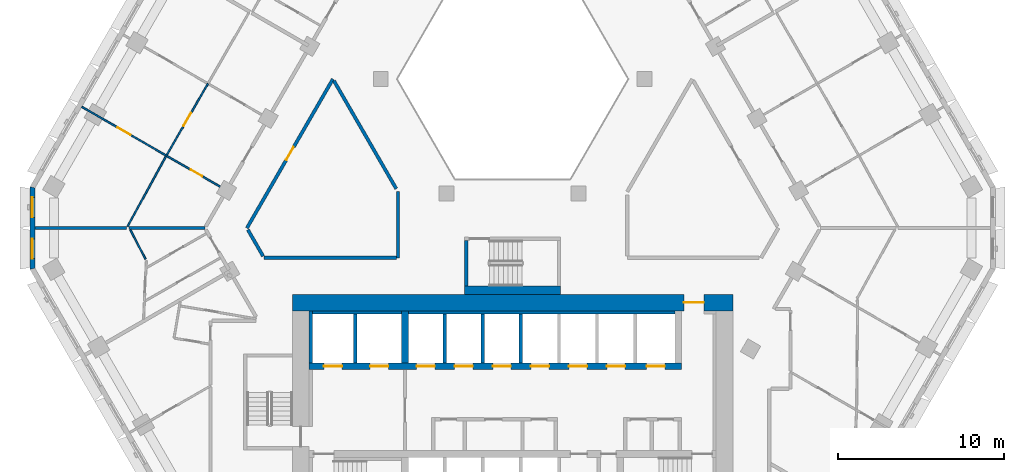
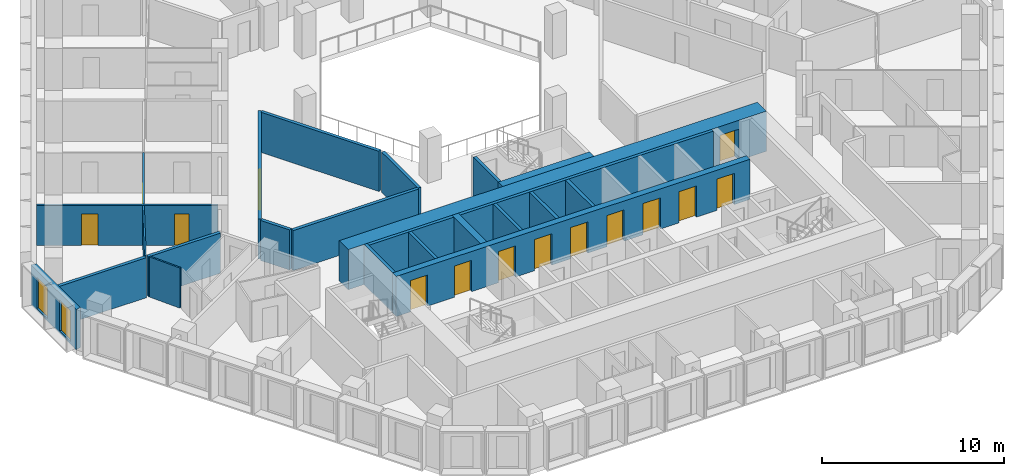
# One storey, part 5 of 18: 24 walls, 14 doors, 2 windows, 16 openings.
"""IFC4 building model written with IfcOpenShell, lengths in metres."""

from ifc_helpers import new_model, si_unit, direction, frame, frame_2d, origin, place, context, subcontext, project, spatial, polyline, rectangle, outline, extrude, material, layer, layer_set, type_object, element, fill, save


model = new_model("IFC4")

# Units and contexts
model_context = context("Model", 3, precision=1e-05, world=origin(), true_north=direction((0.0, 1.0)))
body_context = subcontext(model_context, "Body", "Model", "MODEL_VIEW")
ifc_project = project(units=[si_unit("LENGTHUNIT", "METRE"), si_unit("AREAUNIT", "SQUARE_METRE"), si_unit("VOLUMEUNIT", "CUBIC_METRE"), si_unit("PLANEANGLEUNIT", "RADIAN"), si_unit("MASSUNIT", "GRAM", prefix="KILO")], contexts=[model_context])

# Site, building, storey
site_placement = place(None, origin())
site = spatial("IfcSite", under=ifc_project, at=site_placement, CompositionType="ELEMENT")
building_placement = place(site_placement, origin())
building = spatial("IfcBuilding", under=site, at=building_placement, Name="Beryl Residences", CompositionType="ELEMENT")
storey_placement = place(building_placement, frame((0.0, 0.0, 93.0)))
storey = spatial("IfcBuildingStorey", under=building, at=storey_placement, Name="L28", CompositionType="ELEMENT", Elevation=93.0)

# Wall, openings, windows
ifc_material_1 = material(Name="Composite metal panel with mineral wool insulation")
ifc_layer_1 = layer(ifc_material_1, 0.300048828125)
ifc_layer_set_1 = layer_set([ifc_layer_1], Name="ES1 pale metal composite panel wall 300 mm")
wall_type_1 = type_object("IfcWallType", Name="ES1 pale metal composite panel wall 300 mm", PredefinedType="SOLIDWALL", material=ifc_layer_set_1)
wall_1_placement = place(storey_placement, frame((-29.007080078125, 1.5, 0.0), z_axis=(0.0, 0.0, 1.0), x_axis=(0.0, -1.0, 0.0)))
wall_1 = element("IfcWall", 1, at=wall_1_placement, inside=storey, type_object=wall_type_1, Name="ES1 external wall L28 NW-SW", PredefinedType="SOLIDWALL", context=body_context, shape_type="SweptSolid", body=[
    extrude(outline(polyline([(0.0, -0.14990234375), (5.0, -0.14990234375), (4.919677734375, 0.14990234375), (0.080322265625, 0.14990234375), (0.0, -0.14990234375)])), origin(), (0.0, 0.0, 1.0), 2.699951171875),
])
opening_1_placement = place(wall_1_placement, frame((0.64990234375, 0.0, 0.14990234375)))
opening_1 = element("IfcOpeningElement", 2, at=opening_1_placement, cuts=wall_1, Name="Opening W2", PredefinedType="OPENING", context=body_context, shape_type="SweptSolid", body=[
    extrude(rectangle(XDim=1.199951171875, YDim=2.10009765625, at=frame_2d((0.60009765625, 1.050048828125))), frame((0.0, 0.159912109375, 0.0), z_axis=(0.0, -1.0, 0.0), x_axis=(1.0, 0.0, 0.0)), (0.0, 0.0, 1.0), 0.320068359375),
])
opening_2_placement = place(wall_1_placement, frame((3.14990234375, 0.0, 0.14990234375)))
opening_2 = element("IfcOpeningElement", 3, at=opening_2_placement, cuts=wall_1, Name="Opening W2", PredefinedType="OPENING", context=body_context, shape_type="SweptSolid", body=[
    extrude(rectangle(XDim=1.199951171875, YDim=2.10009765625, at=frame_2d((0.60009765625, 1.050048828125))), frame((0.0, 0.159912109375, 0.0), z_axis=(0.0, -1.0, 0.0), x_axis=(1.0, 0.0, 0.0)), (0.0, 0.0, 1.0), 0.320068359375),
])
ifc_material_2 = material(Name="Aluminium and clear glass", Category="aluminium")
window_type = type_object("IfcWindowType", Name="W2 chamfer window 1200 x 2100 mm", PartitioningType="SINGLE_PANEL", PredefinedType="WINDOW", material=ifc_material_2)
window_1_placement = place(opening_1_placement, origin())
window_1 = element("IfcWindow", 4, at=window_1_placement, inside=storey, type_object=window_type, Name="W2 window L28 NW-SW 1", OverallHeight=2.10009765625, OverallWidth=1.199951171875, PartitioningType="SINGLE_PANEL", PredefinedType="WINDOW", context=body_context, shape_type="SweptSolid", body=[
    extrude(rectangle(XDim=1.199951171875, YDim=2.10009765625, at=frame_2d((0.60009765625, 1.050048828125))), frame((0.0, 0.030029296875, 0.0), z_axis=(0.0, -1.0, 0.0), x_axis=(1.0, 0.0, 0.0)), (0.0, 0.0, 1.0), 0.06005859375),
])
fill(opening_1, window_1)
window_2_placement = place(opening_2_placement, origin())
window_2 = element("IfcWindow", 5, at=window_2_placement, inside=storey, type_object=window_type, Name="W2 window L28 NW-SW 2", OverallHeight=2.10009765625, OverallWidth=1.199951171875, PartitioningType="SINGLE_PANEL", PredefinedType="WINDOW", context=body_context, shape_type="SweptSolid", body=[
    extrude(rectangle(XDim=1.199951171875, YDim=2.10009765625, at=frame_2d((0.60009765625, 1.050048828125))), frame((0.0, 0.030029296875, 0.0), z_axis=(0.0, -1.0, 0.0), x_axis=(1.0, 0.0, 0.0)), (0.0, 0.0, 1.0), 0.06005859375),
])
fill(opening_2, window_2)

# Wall
ifc_material_3 = material(Name="Gypsum board partition on steel studs", Category="steel")
ifc_layer_2 = layer(ifc_material_3, 0.10009765625)
ifc_layer_set_2 = layer_set([ifc_layer_2], Name="PT1 partition 100 mm gypsum board on steel studs")
wall_type_2 = type_object("IfcWallType", Name="PT1 partition 100 mm gypsum board on steel studs", PredefinedType="PARTITIONING", material=ifc_layer_set_2)
wall_2_placement = place(storey_placement, frame((-23.093017578125, -1.10107421875, 0.0), z_axis=(0.0, 0.0, 1.0), x_axis=(0.459171814268, -0.888347479865, 0.0)))
element("IfcWall", 6, at=wall_2_placement, inside=storey, type_object=wall_type_2, Name="Wall PT1 L28 006", PredefinedType="PARTITIONING", context=body_context, shape_type="SweptSolid", body=[
    extrude(rectangle(XDim=2.01025390625, YDim=0.10009765625, at=frame_2d((1.005126953125, 0.0))), origin(), (0.0, 0.0, 1.0), 2.699951171875),
])

# Wall, openings, doors
wall_3_placement = place(storey_placement, frame((-26.02490234375, 6.324951171875, 0.0), z_axis=(0.0, 0.0, 1.0), x_axis=(0.866041268327, -0.499972520799, 0.0)))
wall_3 = element("IfcWall", 7, at=wall_3_placement, inside=storey, type_object=wall_type_2, Name="Wall PT1 L28 018", PredefinedType="PARTITIONING", context=body_context, shape_type="SweptSolid", body=[
    extrude(rectangle(XDim=10.00048828125, YDim=0.10009765625, at=frame_2d((5.000244140625, 0.0))), origin(), (0.0, 0.0, 1.0), 2.699951171875),
])
opening_3_placement = place(wall_3_placement, frame((7.60107421875, 0.0, 0.0)))
opening_3 = element("IfcOpeningElement", 8, at=opening_3_placement, cuts=wall_3, Name="Opening D0751", PredefinedType="OPENING", context=body_context, shape_type="SweptSolid", body=[
    extrude(rectangle(XDim=0.800048828125, YDim=2.10009765625, at=frame_2d((0.39990234375, 1.050048828125))), frame((0.0, 0.06005859375, 0.0), z_axis=(0.0, -1.0, 0.0), x_axis=(1.0, 0.0, 0.0)), (0.0, 0.0, 1.0), 0.1201171875),
])
opening_4_placement = place(wall_3_placement, frame((2.5, 0.0, 0.0)))
opening_4 = element("IfcOpeningElement", 9, at=opening_4_placement, cuts=wall_3, Name="Opening D0753", PredefinedType="OPENING", context=body_context, shape_type="SweptSolid", body=[
    extrude(rectangle(XDim=0.89990234375, YDim=2.10009765625, at=frame_2d((0.449951171875, 1.050048828125))), frame((0.0, 0.06005859375, 0.0), z_axis=(0.0, -1.0, 0.0), x_axis=(1.0, 0.0, 0.0)), (0.0, 0.0, 1.0), 0.1201171875),
])
ifc_material_4 = material(Name="Timber door leaf", Category="wood")
door_type_1 = type_object("IfcDoorType", Name="D2 room door 900 x 2100 mm", OperationType="SINGLE_SWING_LEFT", PredefinedType="DOOR", material=ifc_material_4)
door_1_placement = place(opening_4_placement, origin())
door_1 = element("IfcDoor", 10, at=door_1_placement, inside=storey, type_object=door_type_1, Name="Door D0753 L28 001", OperationType="SINGLE_SWING_LEFT", OverallHeight=2.10009765625, OverallWidth=0.89990234375, PredefinedType="DOOR", context=body_context, shape_type="SweptSolid", body=[
    extrude(rectangle(XDim=0.89990234375, YDim=2.10009765625, at=frame_2d((0.449951171875, 1.050048828125))), frame((0.0, 0.02490234375, 0.0), z_axis=(0.0, -1.0, 0.0), x_axis=(1.0, 0.0, 0.0)), (0.0, 0.0, 1.0), 0.050048828125),
])
fill(opening_4, door_1)
ifc_material_5 = material(Name="Timber door leaf", Category="wood")
door_type_2 = type_object("IfcDoorType", Name="D3 bathroom door 800 x 2100 mm", OperationType="SINGLE_SWING_LEFT", PredefinedType="DOOR", material=ifc_material_5)
door_2_placement = place(opening_3_placement, origin())
door_2 = element("IfcDoor", 11, at=door_2_placement, inside=storey, type_object=door_type_2, Name="Door D0751 L28 001", OperationType="SINGLE_SWING_LEFT", OverallHeight=2.10009765625, OverallWidth=0.800048828125, PredefinedType="DOOR", context=body_context, shape_type="SweptSolid", body=[
    extrude(rectangle(XDim=0.800048828125, YDim=2.10009765625, at=frame_2d((0.39990234375, 1.050048828125))), frame((0.0, 0.02490234375, 0.0), z_axis=(0.0, -1.0, 0.0), x_axis=(1.0, 0.0, 0.0)), (0.0, 0.0, 1.0), 0.050048828125),
])
fill(opening_3, door_2)

# Wall, opening, door
wall_4_placement = place(storey_placement, frame((-20.889892578125, 3.41796875, 0.0), z_axis=(0.0, 0.0, 1.0), x_axis=(0.500014231302, 0.866017187182, 0.0)))
wall_4 = element("IfcWall", 12, at=wall_4_placement, inside=storey, type_object=wall_type_2, Name="Wall PT1 L28 032", PredefinedType="PARTITIONING", context=body_context, shape_type="SweptSolid", body=[
    extrude(rectangle(XDim=4.973388671875, YDim=0.10009765625, at=frame_2d((2.48681640625, 0.0))), origin(), (0.0, 0.0, 1.0), 2.699951171875),
])
opening_5_placement = place(wall_4_placement, frame((2.010986328125, 0.0, 0.0)))
opening_5 = element("IfcOpeningElement", 13, at=opening_5_placement, cuts=wall_4, Name="Opening D0750", PredefinedType="OPENING", context=body_context, shape_type="SweptSolid", body=[
    extrude(rectangle(XDim=0.89990234375, YDim=2.10009765625, at=frame_2d((0.449951171875, 1.050048828125))), frame((0.0, 0.06005859375, 0.0), z_axis=(0.0, -1.0, 0.0), x_axis=(1.0, 0.0, 0.0)), (0.0, 0.0, 1.0), 0.1201171875),
])
door_3_placement = place(opening_5_placement, origin())
door_3 = element("IfcDoor", 14, at=door_3_placement, inside=storey, type_object=door_type_1, Name="Door D0750 L28 001", OperationType="SINGLE_SWING_RIGHT", OverallHeight=2.10009765625, OverallWidth=0.89990234375, PredefinedType="DOOR", context=body_context, shape_type="SweptSolid", body=[
    extrude(rectangle(XDim=0.89990234375, YDim=2.10009765625, at=frame_2d((0.449951171875, 1.050048828125))), frame((0.0, 0.02490234375, 0.0), z_axis=(0.0, -1.0, 0.0), x_axis=(1.0, 0.0, 0.0)), (0.0, 0.0, 1.0), 0.050048828125),
])
fill(opening_5, door_3)

# Walls
wall_5_placement = place(storey_placement, frame((-23.260986328125, -0.90087890625, 0.0), z_axis=(0.0, 0.0, 1.0), x_axis=(0.481037050261, 0.876700265927, 0.0)))
element("IfcWall", 15, at=wall_5_placement, inside=storey, type_object=wall_type_2, Name="Wall PT1 L28 034", PredefinedType="PARTITIONING", context=body_context, shape_type="SweptSolid", body=[
    extrude(rectangle(XDim=4.8271484375, YDim=0.10009765625, at=frame_2d((2.41357421875, 0.0))), origin(), (0.0, 0.0, 1.0), 2.699951171875),
])
ifc_material_6 = material(Name="Acoustic double stud gypsum board wall")
ifc_layer_3 = layer(ifc_material_6, 0.199951171875)
ifc_layer_set_3 = layer_set([ifc_layer_3], Name="PT3 party wall 200 mm acoustic double stud")
wall_type_3 = type_object("IfcWallType", Name="PT3 party wall 200 mm acoustic double stud", PredefinedType="PARTITIONING", material=ifc_layer_set_3)
wall_6_placement = place(storey_placement, frame((-28.85693359375, -1.0009765625, 0.0), z_axis=(0.0, 0.0, 1.0), x_axis=(1.0, 0.0, 0.0)))
element("IfcWall", 16, at=wall_6_placement, inside=storey, type_object=wall_type_3, Name="Wall PT3 L28 008", PredefinedType="PARTITIONING", context=body_context, shape_type="SweptSolid", body=[
    extrude(rectangle(XDim=5.541015625, YDim=0.199951171875, at=frame_2d((2.7705078125, 0.0))), origin(), (0.0, 0.0, 1.0), 2.699951171875),
])
wall_7_placement = place(storey_placement, frame((-23.1640625, -1.0009765625, 0.0), z_axis=(0.0, 0.0, 1.0), x_axis=(1.0, 0.0, 0.0)))
element("IfcWall", 17, at=wall_7_placement, inside=storey, type_object=wall_type_3, Name="Wall PT3 L28 009", PredefinedType="PARTITIONING", context=body_context, shape_type="SweptSolid", body=[
    extrude(rectangle(XDim=4.572998046875, YDim=0.199951171875, at=frame_2d((2.28662109375, 0.0))), origin(), (0.0, 0.0, 1.0), 2.699951171875),
])
ifc_material_7 = material(Name="Double stud gypsum board wall")
ifc_layer_4 = layer(ifc_material_7, 0.199951171875)
ifc_layer_set_4 = layer_set([ifc_layer_4], Name="PT4 corridor wall 200 mm double stud")
wall_type_4 = type_object("IfcWallType", Name="PT4 corridor wall 200 mm double stud", PredefinedType="PARTITIONING", material=ifc_layer_set_4)
wall_8_placement = place(storey_placement, frame((-10.7958984375, 7.89892578125, 0.0), z_axis=(0.0, 0.0, 1.0), x_axis=(0.500010383074, -0.866019409031, 0.0)))
element("IfcWall", 18, at=wall_8_placement, inside=storey, type_object=wall_type_4, Name="Wall PT4 L28 001", PredefinedType="PARTITIONING", context=body_context, shape_type="SweptSolid", body=[
    extrude(rectangle(XDim=7.535400390625, YDim=0.199951171875, at=frame_2d((3.767578125, 0.0))), origin(), (0.0, 0.0, 1.0), 2.699951171875),
])
wall_9_placement = place(storey_placement, frame((-15.992919921875, -1.10107421875, 0.0), z_axis=(0.0, 0.0, 1.0), x_axis=(0.499894174133, -0.866086493757, 0.0)))
element("IfcWall", 19, at=wall_9_placement, inside=storey, type_object=wall_type_4, Name="Wall PT4 L28 002", PredefinedType="PARTITIONING", context=body_context, shape_type="SweptSolid", body=[
    extrude(rectangle(XDim=1.84619140625, YDim=0.199951171875, at=frame_2d((0.923095703125, 0.0))), origin(), (0.0, 0.0, 1.0), 2.699951171875),
])
wall_10_placement = place(storey_placement, frame((-15.010986328125, -2.800048828125, 0.0), z_axis=(0.0, 0.0, 1.0), x_axis=(1.0, 0.0, 0.0)))
element("IfcWall", 20, at=wall_10_placement, inside=storey, type_object=wall_type_4, Name="Wall PT4 L28 017", PredefinedType="PARTITIONING", context=body_context, shape_type="SweptSolid", body=[
    extrude(rectangle(XDim=7.98193359375, YDim=0.199951171875, at=frame_2d((3.990966796875, 0.0))), origin(), (0.0, 0.0, 1.0), 2.699951171875),
])

# Wall, opening, door
wall_11_placement = place(storey_placement, frame((-16.050048828125, -1.0, 0.0), z_axis=(0.0, 0.0, 1.0), x_axis=(0.499962449088, 0.866047082728, 0.0)))
wall_11 = element("IfcWall", 21, at=wall_11_placement, inside=storey, type_object=wall_type_4, Name="Wall PT4 L28 026", PredefinedType="PARTITIONING", context=body_context, shape_type="SweptSolid", body=[
    extrude(rectangle(XDim=10.390869140625, YDim=0.199951171875, at=frame_2d((5.1953125, 0.0))), origin(), (0.0, 0.0, 1.0), 2.699951171875),
])
opening_6_placement = place(wall_11_placement, frame((4.7451171875, 0.0, 0.0)))
opening_6 = element("IfcOpeningElement", 22, at=opening_6_placement, cuts=wall_11, Name="Opening D0759", PredefinedType="OPENING", context=body_context, shape_type="SweptSolid", body=[
    extrude(rectangle(XDim=0.89990234375, YDim=2.10009765625, at=frame_2d((0.449951171875, 1.050048828125))), frame((0.0, 0.10986328125, 0.0), z_axis=(0.0, -1.0, 0.0), x_axis=(1.0, 0.0, 0.0)), (0.0, 0.0, 1.0), 0.219970703125),
])
door_4_placement = place(opening_6_placement, origin())
door_4 = element("IfcDoor", 23, at=door_4_placement, inside=storey, type_object=door_type_1, Name="Door D0759 L28 001", OperationType="SINGLE_SWING_LEFT", OverallHeight=2.10009765625, OverallWidth=0.89990234375, PredefinedType="DOOR", context=body_context, shape_type="SweptSolid", body=[
    extrude(rectangle(XDim=0.89990234375, YDim=2.10009765625, at=frame_2d((0.449951171875, 1.050048828125))), frame((0.0, 0.02490234375, 0.0), z_axis=(0.0, -1.0, 0.0), x_axis=(1.0, 0.0, 0.0)), (0.0, 0.0, 1.0), 0.050048828125),
])
fill(opening_6, door_4)

# Walls
wall_12_placement = place(storey_placement, frame((-6.927978515625, -2.799072265625, 0.0), z_axis=(0.0, 0.0, 1.0), x_axis=(0.0, 1.0, 0.0)))
element("IfcWall", 24, at=wall_12_placement, inside=storey, type_object=wall_type_4, Name="Wall PT4 L28 032", PredefinedType="PARTITIONING", context=body_context, shape_type="SweptSolid", body=[
    extrude(rectangle(XDim=3.9990234375, YDim=0.199951171875, at=frame_2d((1.99951171875, 0.0))), origin(), (0.0, 0.0, 1.0), 2.699951171875),
])
ifc_material_8 = material(Name="Concrete C40/50", Category="concrete")
ifc_layer_5 = layer(ifc_material_8, 0.199951171875)
ifc_layer_set_5 = layer_set([ifc_layer_5], Name="PT5 stair enclosure wall 200 mm reinforced concrete C40/50")
wall_type_5 = type_object("IfcWallType", Name="PT5 stair enclosure wall 200 mm reinforced concrete C40/50", PredefinedType="SOLIDWALL", material=ifc_layer_set_5)
wall_13_placement = place(storey_placement, frame((-2.800048828125, -4.5, 0.0), z_axis=(0.0, 0.0, 1.0), x_axis=(0.0, 1.0, 0.0)))
element("IfcWall", 25, at=wall_13_placement, inside=storey, type_object=wall_type_5, Name="Wall PT5 L28 002", PredefinedType="SOLIDWALL", context=body_context, shape_type="SweptSolid", body=[
    extrude(rectangle(XDim=2.75, YDim=0.199951171875, at=frame_2d((1.375, 0.0))), origin(), (0.0, 0.0, 1.0), 2.699951171875),
])
ifc_material_9 = material(Name="Concrete C40/50", Category="concrete")
ifc_layer_6 = layer(ifc_material_9, 0.5)
ifc_layer_set_6 = layer_set([ifc_layer_6], Name="PT5-500 stair enclosure wall 500 mm")
wall_type_6 = type_object("IfcWallType", Name="PT5-500 stair enclosure wall 500 mm", PredefinedType="SOLIDWALL", material=ifc_layer_set_6)
wall_14_placement = place(storey_placement, frame((-2.89990234375, -4.75, 0.0), z_axis=(0.0, 0.0, 1.0), x_axis=(1.0, 0.0, 0.0)))
element("IfcWall", 26, at=wall_14_placement, inside=storey, type_object=wall_type_6, Name="Wall PT5-500 L28 001", PredefinedType="SOLIDWALL", context=body_context, shape_type="SweptSolid", body=[
    extrude(rectangle(XDim=5.7998046875, YDim=0.5, at=frame_2d((2.89990234375, 0.0))), origin(), (0.0, 0.0, 1.0), 2.699951171875),
])
ifc_material_10 = material(Name="Concrete C40/50", Category="concrete")
ifc_layer_7 = layer(ifc_material_10, 0.199951171875)
ifc_layer_set_7 = layer_set([ifc_layer_7], Name="PT6 lift shaft wall 200 mm reinforced concrete C40/50")
wall_type_7 = type_object("IfcWallType", Name="PT6 lift shaft wall 200 mm reinforced concrete C40/50", PredefinedType="SOLIDWALL", material=ifc_layer_set_7)
wall_15_placement = place(storey_placement, frame((-12.199951171875, -9.14990234375, 0.0), z_axis=(0.0, 0.0, 1.0), x_axis=(0.0, 1.0, 0.0)))
element("IfcWall", 27, at=wall_15_placement, inside=storey, type_object=wall_type_7, Name="Lift shaft wall 06", PredefinedType="SOLIDWALL", context=body_context, shape_type="SweptSolid", body=[
    extrude(rectangle(XDim=3.14990234375, YDim=0.199951171875, at=frame_2d((1.574951171875, 0.0))), origin(), (0.0, 0.0, 1.0), 2.699951171875),
])
wall_16_placement = place(storey_placement, frame((-12.10009765625, -6.10009765625, 0.0), z_axis=(0.0, 0.0, 1.0), x_axis=(1.0, 0.0, 0.0)))
element("IfcWall", 28, at=wall_16_placement, inside=storey, type_object=wall_type_7, Name="Lift shaft wall 08", PredefinedType="SOLIDWALL", context=body_context, shape_type="SweptSolid", body=[
    extrude(rectangle(XDim=5.400146484375, YDim=0.199951171875, at=frame_2d((2.7001953125, 0.0))), origin(), (0.0, 0.0, 1.0), 2.699951171875),
])
wall_17_placement = place(storey_placement, frame((-9.5, -9.14990234375, 0.0), z_axis=(0.0, 0.0, 1.0), x_axis=(0.0, 1.0, 0.0)))
element("IfcWall", 29, at=wall_17_placement, inside=storey, type_object=wall_type_7, Name="Lift shaft wall 10", PredefinedType="SOLIDWALL", context=body_context, shape_type="SweptSolid", body=[
    extrude(rectangle(XDim=2.949951171875, YDim=0.199951171875, at=frame_2d((1.47509765625, 0.0))), origin(), (0.0, 0.0, 1.0), 2.699951171875),
])
wall_18_placement = place(storey_placement, frame((-6.300048828125, -6.10009765625, 0.0), z_axis=(0.0, 0.0, 1.0), x_axis=(1.0, 0.0, 0.0)))
element("IfcWall", 30, at=wall_18_placement, inside=storey, type_object=wall_type_7, Name="Lift shaft wall 13", PredefinedType="SOLIDWALL", context=body_context, shape_type="SweptSolid", body=[
    extrude(rectangle(XDim=16.10009765625, YDim=0.199951171875, at=frame_2d((8.050048828125, 0.0))), origin(), (0.0, 0.0, 1.0), 2.699951171875),
])
for number, where, z_axis, x_axis, name in (
    (31, (-4.10009765625, -9.14990234375, 0.0), (0.0, 0.0, 1.0), (0.0, 1.0, 0.0), "Lift shaft wall 17"),
    (32, (-1.800048828125, -9.14990234375, 0.0), (0.0, 0.0, 1.0), (0.0, 1.0, 0.0), "Lift shaft wall 20"),
    (33, (0.5, -9.14990234375, 0.0), (0.0, 0.0, 1.0), (0.0, 1.0, 0.0), "Lift shaft wall 22"),
):
    element("IfcWall", number, at=place(storey_placement, frame(where, z_axis=z_axis, x_axis=x_axis)), inside=storey, type_object=wall_type_7, Name=name, PredefinedType="SOLIDWALL", context=body_context, shape_type="SweptSolid", body=[
        extrude(rectangle(XDim=2.949951171875, YDim=0.199951171875, at=frame_2d((1.47509765625, 0.0))), origin(), (0.0, 0.0, 1.0), 2.699951171875),
    ])

# Wall, opening, door
ifc_material_11 = material(Name="Concrete C70/85", Category="concrete")
ifc_layer_8 = layer(ifc_material_11, 1.0)
ifc_layer_set_8 = layer_set([ifc_layer_8], Name="SW2 core outer wall 1000 mm C70/85")
wall_type_8 = type_object("IfcWallType", Name="SW2 core outer wall 1000 mm C70/85", PredefinedType="SHEAR", material=ifc_layer_set_8)
wall_19_placement = place(storey_placement, frame((-13.300048828125, -5.5, 0.0), z_axis=(0.0, 0.0, 1.0), x_axis=(1.0, 0.0, 0.0)))
wall_19 = element("IfcWall", 34, at=wall_19_placement, inside=storey, type_object=wall_type_8, Name="Core wall N L28", PredefinedType="SHEAR", context=body_context, shape_type="SweptSolid", body=[
    extrude(rectangle(XDim=26.60009765625, YDim=1.0, at=frame_2d((13.300048828125, 0.0))), origin(), (0.0, 0.0, 1.0), 2.699951171875),
])
opening_7_placement = place(wall_19_placement, frame((23.64990234375, 0.0, 0.0)))
opening_7 = element("IfcOpeningElement", 35, at=opening_7_placement, cuts=wall_19, Name="Opening FD-NORTH", PredefinedType="OPENING", context=body_context, shape_type="SweptSolid", body=[
    extrude(rectangle(XDim=1.199951171875, YDim=2.10009765625, at=frame_2d((0.60009765625, 1.050048828125))), frame((0.0, 0.510009765625, 0.0), z_axis=(0.0, -1.0, 0.0), x_axis=(1.0, 0.0, 0.0)), (0.0, 0.0, 1.0), 1.02001953125),
])
ifc_material_12 = material(Name="Steel door leaf in steel frame", Category="steel")
door_type_3 = type_object("IfcDoorType", Name="D22 lobby door 1200 x 2100 mm", OperationType="DOUBLE_DOOR_SINGLE_SWING", PredefinedType="DOOR", material=ifc_material_12)
door_5_placement = place(opening_7_placement, origin())
door_5 = element("IfcDoor", 36, at=door_5_placement, inside=storey, type_object=door_type_3, Name="Door FD-NORTH L28 001", OperationType="DOUBLE_DOOR_SINGLE_SWING", OverallHeight=2.10009765625, OverallWidth=1.199951171875, PredefinedType="DOOR", context=body_context, shape_type="SweptSolid", body=[
    extrude(rectangle(XDim=1.199951171875, YDim=2.10009765625, at=frame_2d((0.60009765625, 1.050048828125))), frame((0.0, 0.02490234375, 0.0), z_axis=(0.0, -1.0, 0.0), x_axis=(1.0, 0.0, 0.0)), (0.0, 0.0, 1.0), 0.050048828125),
])
fill(opening_7, door_5)

# Wall, openings, doors
ifc_material_13 = material(Name="Concrete C70/85", Category="concrete")
ifc_layer_9 = layer(ifc_material_13, 0.39990234375)
ifc_layer_set_9 = layer_set([ifc_layer_9], Name="SW7 core internal wall 400 mm C70/85")
wall_type_9 = type_object("IfcWallType", Name="SW7 core internal wall 400 mm C70/85", PredefinedType="SHEAR", material=ifc_layer_set_9)
wall_20_placement = place(storey_placement, frame((-12.300048828125, -9.35009765625, 0.0), z_axis=(0.0, 0.0, 1.0), x_axis=(1.0, 0.0, 0.0)))
wall_20 = element("IfcWall", 37, at=wall_20_placement, inside=storey, type_object=wall_type_9, Name="Core wall SP2 L28", PredefinedType="SHEAR", context=body_context, shape_type="SweptSolid", body=[
    extrude(rectangle(XDim=22.5, YDim=0.39990234375, at=frame_2d((11.25, 0.0))), origin(), (0.0, 0.0, 1.0), 2.699951171875),
])
opening_8_placement = place(wall_20_placement, frame((0.89990234375, 0.0, 0.0)))
opening_8 = element("IfcOpeningElement", 38, at=opening_8_placement, cuts=wall_20, Name="Opening LD-FF1", PredefinedType="OPENING", context=body_context, shape_type="SweptSolid", body=[
    extrude(rectangle(XDim=1.10009765625, YDim=2.10009765625, at=frame_2d((0.550048828125, 1.050048828125))), frame((0.0, 0.2099609375, 0.0), z_axis=(0.0, -1.0, 0.0), x_axis=(1.0, 0.0, 0.0)), (0.0, 0.0, 1.0), 0.419921875),
])
opening_9_placement = place(wall_20_placement, frame((3.699951171875, 0.0, 0.0)))
opening_9 = element("IfcOpeningElement", 39, at=opening_9_placement, cuts=wall_20, Name="Opening LD-FF2", PredefinedType="OPENING", context=body_context, shape_type="SweptSolid", body=[
    extrude(rectangle(XDim=1.10009765625, YDim=2.10009765625, at=frame_2d((0.550048828125, 1.050048828125))), frame((0.0, 0.2099609375, 0.0), z_axis=(0.0, -1.0, 0.0), x_axis=(1.0, 0.0, 0.0)), (0.0, 0.0, 1.0), 0.419921875),
])
opening_10_placement = place(wall_20_placement, frame((6.5, 0.0, 0.0)))
opening_10 = element("IfcOpeningElement", 40, at=opening_10_placement, cuts=wall_20, Name="Opening LD-LR1", PredefinedType="OPENING", context=body_context, shape_type="SweptSolid", body=[
    extrude(rectangle(XDim=1.10009765625, YDim=2.10009765625, at=frame_2d((0.550048828125, 1.050048828125))), frame((0.0, 0.2099609375, 0.0), z_axis=(0.0, -1.0, 0.0), x_axis=(1.0, 0.0, 0.0)), (0.0, 0.0, 1.0), 0.419921875),
])
opening_11_placement = place(wall_20_placement, frame((8.800048828125, 0.0, 0.0)))
opening_11 = element("IfcOpeningElement", 41, at=opening_11_placement, cuts=wall_20, Name="Opening LD-LR2", PredefinedType="OPENING", context=body_context, shape_type="SweptSolid", body=[
    extrude(rectangle(XDim=1.10009765625, YDim=2.10009765625, at=frame_2d((0.550048828125, 1.050048828125))), frame((0.0, 0.2099609375, 0.0), z_axis=(0.0, -1.0, 0.0), x_axis=(1.0, 0.0, 0.0)), (0.0, 0.0, 1.0), 0.419921875),
])
opening_12_placement = place(wall_20_placement, frame((11.10009765625, 0.0, 0.0)))
opening_12 = element("IfcOpeningElement", 42, at=opening_12_placement, cuts=wall_20, Name="Opening LD-LR3", PredefinedType="OPENING", context=body_context, shape_type="SweptSolid", body=[
    extrude(rectangle(XDim=1.10009765625, YDim=2.10009765625, at=frame_2d((0.550048828125, 1.050048828125))), frame((0.0, 0.2099609375, 0.0), z_axis=(0.0, -1.0, 0.0), x_axis=(1.0, 0.0, 0.0)), (0.0, 0.0, 1.0), 0.419921875),
])
opening_13_placement = place(wall_20_placement, frame((13.39990234375, 0.0, 0.0)))
opening_13 = element("IfcOpeningElement", 43, at=opening_13_placement, cuts=wall_20, Name="Opening LD-LR4", PredefinedType="OPENING", context=body_context, shape_type="SweptSolid", body=[
    extrude(rectangle(XDim=1.10009765625, YDim=2.10009765625, at=frame_2d((0.550048828125, 1.050048828125))), frame((0.0, 0.2099609375, 0.0), z_axis=(0.0, -1.0, 0.0), x_axis=(1.0, 0.0, 0.0)), (0.0, 0.0, 1.0), 0.419921875),
])
opening_14_placement = place(wall_20_placement, frame((15.699951171875, 0.0, 0.0)))
opening_14 = element("IfcOpeningElement", 44, at=opening_14_placement, cuts=wall_20, Name="Opening LD-LR5", PredefinedType="OPENING", context=body_context, shape_type="SweptSolid", body=[
    extrude(rectangle(XDim=1.10009765625, YDim=2.10009765625, at=frame_2d((0.550048828125, 1.050048828125))), frame((0.0, 0.2099609375, 0.0), z_axis=(0.0, -1.0, 0.0), x_axis=(1.0, 0.0, 0.0)), (0.0, 0.0, 1.0), 0.419921875),
])
opening_15_placement = place(wall_20_placement, frame((18.0, 0.0, 0.0)))
opening_15 = element("IfcOpeningElement", 45, at=opening_15_placement, cuts=wall_20, Name="Opening LD-LR6", PredefinedType="OPENING", context=body_context, shape_type="SweptSolid", body=[
    extrude(rectangle(XDim=1.10009765625, YDim=2.10009765625, at=frame_2d((0.550048828125, 1.050048828125))), frame((0.0, 0.2099609375, 0.0), z_axis=(0.0, -1.0, 0.0), x_axis=(1.0, 0.0, 0.0)), (0.0, 0.0, 1.0), 0.419921875),
])
opening_16_placement = place(wall_20_placement, frame((20.39990234375, 0.0, 0.0)))
opening_16 = element("IfcOpeningElement", 46, at=opening_16_placement, cuts=wall_20, Name="Opening LD-SL1", PredefinedType="OPENING", context=body_context, shape_type="SweptSolid", body=[
    extrude(rectangle(XDim=1.10009765625, YDim=2.10009765625, at=frame_2d((0.550048828125, 1.050048828125))), frame((0.0, 0.2099609375, 0.0), z_axis=(0.0, -1.0, 0.0), x_axis=(1.0, 0.0, 0.0)), (0.0, 0.0, 1.0), 0.419921875),
])
ifc_material_14 = material(Name="Stainless steel sliding door", Category="steel")
door_type_4 = type_object("IfcDoorType", Name="LD1 lift landing door 1100 x 2100 mm", OperationType="DOUBLE_DOOR_SLIDING", PredefinedType="DOOR", material=ifc_material_14)
door_6_placement = place(opening_8_placement, origin())
door_6 = element("IfcDoor", 47, at=door_6_placement, inside=storey, type_object=door_type_4, Name="Lift landing door FF1", OperationType="DOUBLE_DOOR_SLIDING", OverallHeight=2.10009765625, OverallWidth=1.10009765625, PredefinedType="DOOR", context=body_context, shape_type="SweptSolid", body=[
    extrude(rectangle(XDim=1.10009765625, YDim=2.10009765625, at=frame_2d((0.550048828125, 1.050048828125))), frame((0.0, 0.02490234375, 0.0), z_axis=(0.0, -1.0, 0.0), x_axis=(1.0, 0.0, 0.0)), (0.0, 0.0, 1.0), 0.050048828125),
])
fill(opening_8, door_6)
door_7_placement = place(opening_9_placement, origin())
door_7 = element("IfcDoor", 48, at=door_7_placement, inside=storey, type_object=door_type_4, Name="Lift landing door FF2", OperationType="DOUBLE_DOOR_SLIDING", OverallHeight=2.10009765625, OverallWidth=1.10009765625, PredefinedType="DOOR", context=body_context, shape_type="SweptSolid", body=[
    extrude(rectangle(XDim=1.10009765625, YDim=2.10009765625, at=frame_2d((0.550048828125, 1.050048828125))), frame((0.0, 0.02490234375, 0.0), z_axis=(0.0, -1.0, 0.0), x_axis=(1.0, 0.0, 0.0)), (0.0, 0.0, 1.0), 0.050048828125),
])
fill(opening_9, door_7)
door_8_placement = place(opening_10_placement, origin())
door_8 = element("IfcDoor", 49, at=door_8_placement, inside=storey, type_object=door_type_4, Name="Lift landing door LR1", OperationType="DOUBLE_DOOR_SLIDING", OverallHeight=2.10009765625, OverallWidth=1.10009765625, PredefinedType="DOOR", context=body_context, shape_type="SweptSolid", body=[
    extrude(rectangle(XDim=1.10009765625, YDim=2.10009765625, at=frame_2d((0.550048828125, 1.050048828125))), frame((0.0, 0.02490234375, 0.0), z_axis=(0.0, -1.0, 0.0), x_axis=(1.0, 0.0, 0.0)), (0.0, 0.0, 1.0), 0.050048828125),
])
fill(opening_10, door_8)
door_9_placement = place(opening_11_placement, origin())
door_9 = element("IfcDoor", 50, at=door_9_placement, inside=storey, type_object=door_type_4, Name="Lift landing door LR2", OperationType="DOUBLE_DOOR_SLIDING", OverallHeight=2.10009765625, OverallWidth=1.10009765625, PredefinedType="DOOR", context=body_context, shape_type="SweptSolid", body=[
    extrude(rectangle(XDim=1.10009765625, YDim=2.10009765625, at=frame_2d((0.550048828125, 1.050048828125))), frame((0.0, 0.02490234375, 0.0), z_axis=(0.0, -1.0, 0.0), x_axis=(1.0, 0.0, 0.0)), (0.0, 0.0, 1.0), 0.050048828125),
])
fill(opening_11, door_9)
door_10_placement = place(opening_12_placement, origin())
door_10 = element("IfcDoor", 51, at=door_10_placement, inside=storey, type_object=door_type_4, Name="Lift landing door LR3", OperationType="DOUBLE_DOOR_SLIDING", OverallHeight=2.10009765625, OverallWidth=1.10009765625, PredefinedType="DOOR", context=body_context, shape_type="SweptSolid", body=[
    extrude(rectangle(XDim=1.10009765625, YDim=2.10009765625, at=frame_2d((0.550048828125, 1.050048828125))), frame((0.0, 0.02490234375, 0.0), z_axis=(0.0, -1.0, 0.0), x_axis=(1.0, 0.0, 0.0)), (0.0, 0.0, 1.0), 0.050048828125),
])
fill(opening_12, door_10)
door_11_placement = place(opening_13_placement, origin())
door_11 = element("IfcDoor", 52, at=door_11_placement, inside=storey, type_object=door_type_4, Name="Lift landing door LR4", OperationType="DOUBLE_DOOR_SLIDING", OverallHeight=2.10009765625, OverallWidth=1.10009765625, PredefinedType="DOOR", context=body_context, shape_type="SweptSolid", body=[
    extrude(rectangle(XDim=1.10009765625, YDim=2.10009765625, at=frame_2d((0.550048828125, 1.050048828125))), frame((0.0, 0.02490234375, 0.0), z_axis=(0.0, -1.0, 0.0), x_axis=(1.0, 0.0, 0.0)), (0.0, 0.0, 1.0), 0.050048828125),
])
fill(opening_13, door_11)
door_12_placement = place(opening_14_placement, origin())
door_12 = element("IfcDoor", 53, at=door_12_placement, inside=storey, type_object=door_type_4, Name="Lift landing door LR5", OperationType="DOUBLE_DOOR_SLIDING", OverallHeight=2.10009765625, OverallWidth=1.10009765625, PredefinedType="DOOR", context=body_context, shape_type="SweptSolid", body=[
    extrude(rectangle(XDim=1.10009765625, YDim=2.10009765625, at=frame_2d((0.550048828125, 1.050048828125))), frame((0.0, 0.02490234375, 0.0), z_axis=(0.0, -1.0, 0.0), x_axis=(1.0, 0.0, 0.0)), (0.0, 0.0, 1.0), 0.050048828125),
])
fill(opening_14, door_12)
door_13_placement = place(opening_15_placement, origin())
door_13 = element("IfcDoor", 54, at=door_13_placement, inside=storey, type_object=door_type_4, Name="Lift landing door LR6", OperationType="DOUBLE_DOOR_SLIDING", OverallHeight=2.10009765625, OverallWidth=1.10009765625, PredefinedType="DOOR", context=body_context, shape_type="SweptSolid", body=[
    extrude(rectangle(XDim=1.10009765625, YDim=2.10009765625, at=frame_2d((0.550048828125, 1.050048828125))), frame((0.0, 0.02490234375, 0.0), z_axis=(0.0, -1.0, 0.0), x_axis=(1.0, 0.0, 0.0)), (0.0, 0.0, 1.0), 0.050048828125),
])
fill(opening_15, door_13)
door_14_placement = place(opening_16_placement, origin())
door_14 = element("IfcDoor", 55, at=door_14_placement, inside=storey, type_object=door_type_4, Name="Lift landing door SL1", OperationType="DOUBLE_DOOR_SLIDING", OverallHeight=2.10009765625, OverallWidth=1.10009765625, PredefinedType="DOOR", context=body_context, shape_type="SweptSolid", body=[
    extrude(rectangle(XDim=1.10009765625, YDim=2.10009765625, at=frame_2d((0.550048828125, 1.050048828125))), frame((0.0, 0.02490234375, 0.0), z_axis=(0.0, -1.0, 0.0), x_axis=(1.0, 0.0, 0.0)), (0.0, 0.0, 1.0), 0.050048828125),
])
fill(opening_16, door_14)

# Wall
wall_21_placement = place(storey_placement, frame((-6.5, -9.14990234375, 0.0), z_axis=(0.0, 0.0, 1.0), x_axis=(0.0, 1.0, 0.0)))
element("IfcWall", 56, at=wall_21_placement, inside=storey, type_object=wall_type_9, Name="Core wall XN1 L28", PredefinedType="SHEAR", context=body_context, shape_type="SweptSolid", body=[
    extrude(rectangle(XDim=3.14990234375, YDim=0.39990234375, at=frame_2d((1.574951171875, 0.0))), origin(), (0.0, 0.0, 1.0), 2.699951171875),
])

save(model, "model.ifc")
